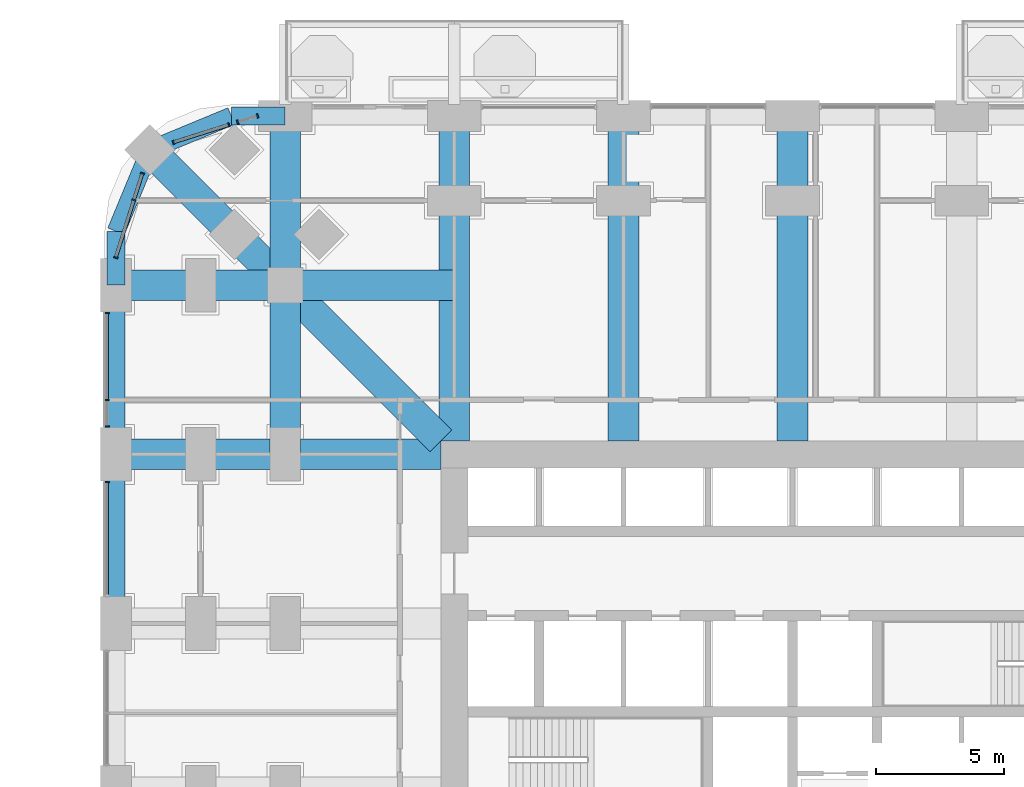
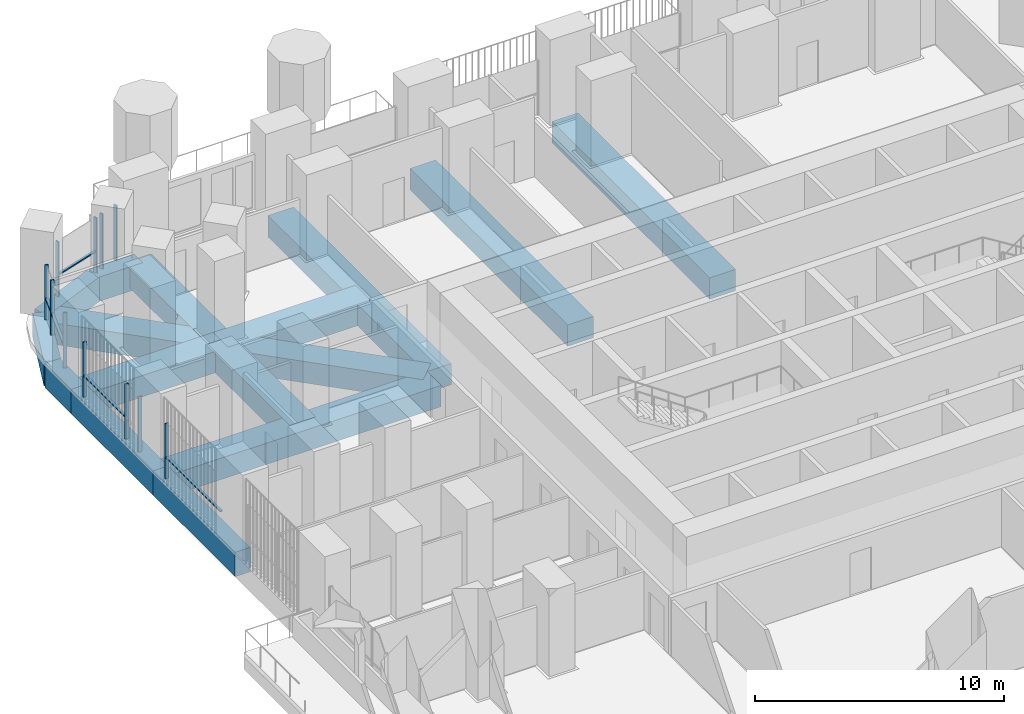
# One storey, part 7 of 27: 16 beams, 16 members, 5 elements without a shape of their own.
"""IFC4 building model written with IfcOpenShell, lengths in metres."""

from ifc_helpers import new_model, si_unit, direction, frame, origin, origin_2d, place, context, subcontext, project, spatial, rectangle, extrude, material, material_profile, profile_set, type_object, element, aggregate, save


model = new_model("IFC4")

# Units and contexts
model_context = context("Model", 3, precision=1e-05, world=origin(), true_north=direction((0.0, 1.0)))
body_context = subcontext(model_context, "Body", "Model", "MODEL_VIEW")
ifc_project = project(units=[si_unit("LENGTHUNIT", "METRE"), si_unit("AREAUNIT", "SQUARE_METRE"), si_unit("VOLUMEUNIT", "CUBIC_METRE"), si_unit("PLANEANGLEUNIT", "RADIAN"), si_unit("MASSUNIT", "GRAM", prefix="KILO")], contexts=[model_context])

# Site, building, storey
site_placement = place(None, origin())
site = spatial("IfcSite", under=ifc_project, at=site_placement, CompositionType="ELEMENT")
building_placement = place(site_placement, origin())
building = spatial("IfcBuilding", under=site, at=building_placement, Name="Cobogo Forest Laboratory Tower", CompositionType="ELEMENT")
storey_placement = place(building_placement, frame((0.0, 0.0, 29.699951171875)))
storey = spatial("IfcBuildingStorey", under=building, at=storey_placement, Name="L06", CompositionType="ELEMENT", Elevation=29.699951171875)

# Beams
ifc_material_1 = material(Name="Concrete HA-40 (C40/50)", Category="concrete")
ifc_material_profile_1 = material_profile(ifc_material_1, rectangle(XDim=1.199951171875, YDim=1.050048828125, at=origin_2d()), Name="RC 1200x1050")
ifc_profile_set_1 = profile_set([ifc_material_profile_1], Name="Concrete HA-40 (C40/50)")
beam_type_1 = type_object("IfcBeamType", Name="Laboratory floor wide beam 1200x1050", PredefinedType="BEAM", material=ifc_profile_set_1)
for number, where, z_axis, x_axis, name in (
    (1, (13.199951171875, 33.52490234375, -0.824951171875), (0.0, 1.0, 0.0), (-1.0, 0.0, 0.0), "RB1 R-3-N L06"),
    (2, (19.800048828125, 33.52490234375, -0.824951171875), (0.0, 1.0, 0.0), (-1.0, 0.0, 0.0), "RB1 R-4-N L06"),
    (3, (26.39990234375, 33.52490234375, -0.824951171875), (0.0, 1.0, 0.0), (-1.0, 0.0, 0.0), "RB1 R-5-N L06"),
    (4, (12.675048828125, 33.0, -0.824951171875), (-1.0, 0.0, 0.0), (0.0, -1.0, 0.0), "RB1 R-F-W L06"),
):
    element("IfcBeam", number, at=place(storey_placement, frame(where, z_axis=z_axis, x_axis=x_axis)), inside=storey, type_object=beam_type_1, Name=name, PredefinedType="BEAM", context=body_context, shape_type="SweptSolid", body=[
        extrude(rectangle(XDim=1.199951171875, YDim=1.050048828125, at=origin_2d()), origin(), (0.0, 0.0, 1.0), 12.675048828125),
    ])
beam_1_placement = place(storey_placement, frame((6.60009765625, 46.199951171875, -0.824951171875), z_axis=(0.0, -1.0, 0.0), x_axis=(1.0, 0.0, 0.0)))
element("IfcBeam", 5, at=beam_1_placement, inside=storey, type_object=beam_type_1, Name="RB1 G-NW-XF L06", PredefinedType="BEAM", context=body_context, shape_type="SweptSolid", body=[
    extrude(rectangle(XDim=1.199951171875, YDim=1.050048828125, at=origin_2d()), origin(), (0.0, 0.0, 1.0), 6.599853515625),
])
for number, where, z_axis, x_axis, name in (
    (6, (6.60009765625, 39.60009765625, -0.824951171875), (0.0, -1.0, 0.0), (1.0, 0.0, 0.0), "RB1 G-NW-XC L06"),
    (7, (0.0, 39.60009765625, -0.824951171875), (1.0, 0.0, 0.0), (0.0, 1.0, 0.0), "RB1 G-NW-YF L06"),
):
    element("IfcBeam", number, at=place(storey_placement, frame(where, z_axis=z_axis, x_axis=x_axis)), inside=storey, type_object=beam_type_1, Name=name, PredefinedType="BEAM", context=body_context, shape_type="SweptSolid", body=[
        extrude(rectangle(XDim=1.199951171875, YDim=1.050048828125, at=origin_2d()), origin(), (0.0, 0.0, 1.0), 6.60009765625),
    ])
beam_2_placement = place(storey_placement, frame((6.60009765625, 39.60009765625, -0.824951171875), z_axis=(1.0, 0.0, 0.0), x_axis=(0.0, 1.0, 0.0)))
element("IfcBeam", 8, at=beam_2_placement, inside=storey, type_object=beam_type_1, Name="RB1 G-NW-YC L06", PredefinedType="BEAM", context=body_context, shape_type="SweptSolid", body=[
    extrude(rectangle(XDim=1.199951171875, YDim=1.050048828125, at=origin_2d()), origin(), (0.0, 0.0, 1.0), 6.599853515625),
])
beam_3_placement = place(storey_placement, frame((1.318115234375, 44.882080078125, -0.824951171875), z_axis=(0.707106781187, -0.707106781187, 0.0), x_axis=(0.707106781187, 0.707106781187, 0.0)))
element("IfcBeam", 9, at=beam_3_placement, inside=storey, type_object=beam_type_1, Name="RB1 G-NW-D1 L06", PredefinedType="BEAM", context=body_context, shape_type="SweptSolid", body=[
    extrude(rectangle(XDim=1.199951171875, YDim=1.050048828125, at=origin_2d()), origin(), (0.0, 0.0, 1.0), 7.469970703125),
])
beam_4_placement = place(storey_placement, frame((6.60009765625, 39.60009765625, -0.824951171875), z_axis=(0.707092572697, -0.70712098939, 0.0), x_axis=(0.70712098939, 0.707092572697, 0.0)))
element("IfcBeam", 10, at=beam_4_placement, inside=storey, type_object=beam_type_1, Name="RB1 G-NW-D2 L06", PredefinedType="BEAM", context=body_context, shape_type="SweptSolid", body=[
    extrude(rectangle(XDim=1.199951171875, YDim=1.050048828125, at=origin_2d()), origin(), (0.0, 0.0, 1.0), 8.591552734375),
])

# Curtain wall, members
ifc_material_2 = material(Name="Aluminium curtain wall", Category="aluminium")
curtain_wall_type = type_object("IfcCurtainWallType", Name="CW-1 unitised curtain wall, clear glazing, laboratory floors zones A and B", PredefinedType="USERDEFINED", material=ifc_material_2)
curtain_wall_1_placement = place(storey_placement, origin())
curtain_wall_1 = element("IfcCurtainWall", 11, at=curtain_wall_1_placement, inside=storey, type_object=curtain_wall_type, Name="Curtain wall 24 L06", ObjectType="UNITISED CURTAIN WALL", PredefinedType="USERDEFINED")
ifc_material_3 = material(Name="Aluminium mullion", Category="aluminium")
ifc_material_profile_2 = material_profile(ifc_material_3, rectangle(XDim=0.06005859375, YDim=0.159912109375, at=origin_2d()), Name="AL 60x160")
ifc_profile_set_2 = profile_set([ifc_material_profile_2], Name="Aluminium mullion")
member_type_1 = type_object("IfcMemberType", Name="MU-1 aluminium mullion 60x160", PredefinedType="MULLION", material=ifc_profile_set_2)
member_1_placement = place(storey_placement, frame((5.521484375, 46.20947265625, 0.0), z_axis=(0.0, 0.0, 1.0), x_axis=(-0.953581504428, -0.301135043481, 0.0)))
member_1 = element("IfcMember", 12, at=member_1_placement, type_object=member_type_1, Name="CW-1 mullion 1", PredefinedType="MULLION", context=body_context, shape_type="SweptSolid", body=[
    extrude(rectangle(XDim=0.06005859375, YDim=0.159912109375, at=origin_2d()), origin(), (0.0, 0.0, 1.0), 2.699951171875),
])
member_2_placement = place(storey_placement, frame((4.74658203125, 45.96484375, 0.0), z_axis=(0.0, 0.0, 1.0), x_axis=(-0.953581504428, -0.301135043481, 0.0)))
member_2 = element("IfcMember", 13, at=member_2_placement, type_object=member_type_1, Name="CW-1 mullion 2", PredefinedType="MULLION", context=body_context, shape_type="SweptSolid", body=[
    extrude(rectangle(XDim=0.06005859375, YDim=0.159912109375, at=origin_2d()), origin(), (0.0, 0.0, 1.0), 2.699951171875),
])
aggregate(curtain_wall_1, [member_1, member_2])

curtain_wall_2_placement = place(storey_placement, origin())
curtain_wall_2 = element("IfcCurtainWall", 14, at=curtain_wall_2_placement, inside=storey, type_object=curtain_wall_type, Name="Curtain wall 25 L06", ObjectType="UNITISED CURTAIN WALL", PredefinedType="USERDEFINED")
member_3_placement = place(storey_placement, frame((4.39697265625, 45.854248046875, 0.0), z_axis=(0.0, 0.0, 1.0), x_axis=(-0.953581409645, -0.301135343623, 0.0)))
member_3 = element("IfcMember", 15, at=member_3_placement, type_object=member_type_1, Name="CW-1 mullion 1", PredefinedType="MULLION", context=body_context, shape_type="SweptSolid", body=[
    extrude(rectangle(XDim=0.06005859375, YDim=0.159912109375, at=origin_2d()), origin(), (0.0, 0.0, 1.0), 2.699951171875),
])
member_4_placement = place(storey_placement, frame((2.23876953125, 45.1728515625, 0.0), z_axis=(0.0, 0.0, 1.0), x_axis=(-0.953581409645, -0.301135343623, 0.0)))
member_4 = element("IfcMember", 16, at=member_4_placement, type_object=member_type_1, Name="CW-1 mullion 2", PredefinedType="MULLION", context=body_context, shape_type="SweptSolid", body=[
    extrude(rectangle(XDim=0.06005859375, YDim=0.159912109375, at=origin_2d()), origin(), (0.0, 0.0, 1.0), 2.699951171875),
])

curtain_wall_3_placement = place(storey_placement, origin())
curtain_wall_3 = element("IfcCurtainWall", 17, at=curtain_wall_3_placement, inside=storey, type_object=curtain_wall_type, Name="Curtain wall 26 L06", ObjectType="UNITISED CURTAIN WALL", PredefinedType="USERDEFINED")
member_5_placement = place(storey_placement, frame((1.02734375, 43.961181640625, 0.0), z_axis=(0.0, 0.0, 1.0), x_axis=(-0.30113535792, -0.95358140513, 0.0)))
member_5 = element("IfcMember", 18, at=member_5_placement, type_object=member_type_1, Name="CW-1 mullion 1", PredefinedType="MULLION", context=body_context, shape_type="SweptSolid", body=[
    extrude(rectangle(XDim=0.06005859375, YDim=0.159912109375, at=origin_2d()), origin(), (0.0, 0.0, 1.0), 2.699951171875),
])
member_6_placement = place(storey_placement, frame((0.69970703125, 42.924072265625, 0.0), z_axis=(0.0, 0.0, 1.0), x_axis=(-0.30113535792, -0.95358140513, 0.0)))
member_6 = element("IfcMember", 19, at=member_6_placement, type_object=member_type_1, Name="CW-1 mullion 2", PredefinedType="MULLION", context=body_context, shape_type="SweptSolid", body=[
    extrude(rectangle(XDim=0.06005859375, YDim=0.159912109375, at=origin_2d()), origin(), (0.0, 0.0, 1.0), 2.699951171875),
])
member_7_placement = place(storey_placement, frame((-0.00927734375, 40.6787109375, 0.0), z_axis=(0.0, 0.0, 1.0), x_axis=(-0.30113535792, -0.95358140513, 0.0)))
member_7 = element("IfcMember", 20, at=member_7_placement, type_object=member_type_1, Name="CW-1 mullion 3", PredefinedType="MULLION", context=body_context, shape_type="SweptSolid", body=[
    extrude(rectangle(XDim=0.06005859375, YDim=0.159912109375, at=origin_2d()), origin(), (0.0, 0.0, 1.0), 2.699951171875),
])

curtain_wall_4_placement = place(storey_placement, origin())
curtain_wall_4 = element("IfcCurtainWall", 21, at=curtain_wall_4_placement, inside=storey, type_object=curtain_wall_type, Name="Curtain wall 27 L06", ObjectType="UNITISED CURTAIN WALL", PredefinedType="USERDEFINED")
member_8_placement = place(storey_placement, frame((-0.35009765625, 38.52001953125, 0.0), z_axis=(0.0, 0.0, 1.0), x_axis=(0.0, -1.0, 0.0)))
member_8 = element("IfcMember", 22, at=member_8_placement, type_object=member_type_1, Name="CW-1 mullion 1", PredefinedType="MULLION", context=body_context, shape_type="SweptSolid", body=[
    extrude(rectangle(XDim=0.06005859375, YDim=0.159912109375, at=origin_2d()), origin(), (0.0, 0.0, 1.0), 2.699951171875),
])
member_9_placement = place(storey_placement, frame((-0.35009765625, 35.125, 0.0), z_axis=(0.0, 0.0, 1.0), x_axis=(0.0, -1.0, 0.0)))
member_9 = element("IfcMember", 23, at=member_9_placement, type_object=member_type_1, Name="CW-1 mullion 2", PredefinedType="MULLION", context=body_context, shape_type="SweptSolid", body=[
    extrude(rectangle(XDim=0.06005859375, YDim=0.159912109375, at=origin_2d()), origin(), (0.0, 0.0, 1.0), 2.699951171875),
])
member_10_placement = place(storey_placement, frame((-0.35009765625, 34.080078125, 0.0), z_axis=(0.0, 0.0, 1.0), x_axis=(0.0, -1.0, 0.0)))
member_10 = element("IfcMember", 24, at=member_10_placement, type_object=member_type_1, Name="CW-1 mullion 3", PredefinedType="MULLION", context=body_context, shape_type="SweptSolid", body=[
    extrude(rectangle(XDim=0.06005859375, YDim=0.159912109375, at=origin_2d()), origin(), (0.0, 0.0, 1.0), 2.699951171875),
])

# Curtain wall, member
curtain_wall_5_placement = place(storey_placement, origin())
curtain_wall_5 = element("IfcCurtainWall", 25, at=curtain_wall_5_placement, inside=storey, type_object=curtain_wall_type, Name="Curtain wall 28 L06", ObjectType="UNITISED CURTAIN WALL", PredefinedType="USERDEFINED")
member_11_placement = place(storey_placement, frame((-0.35009765625, 31.919921875, 0.0), z_axis=(0.0, 0.0, 1.0), x_axis=(0.0, -1.0, 0.0)))
member_11 = element("IfcMember", 26, at=member_11_placement, type_object=member_type_1, Name="CW-1 mullion 1", PredefinedType="MULLION", context=body_context, shape_type="SweptSolid", body=[
    extrude(rectangle(XDim=0.06005859375, YDim=0.159912109375, at=origin_2d()), origin(), (0.0, 0.0, 1.0), 2.699951171875),
])

# Beams
ifc_material_profile_3 = material_profile(ifc_material_1, rectangle(XDim=0.699951171875, YDim=1.199951171875, at=origin_2d()), Name="RC 700x1200")
ifc_profile_set_3 = profile_set([ifc_material_profile_3], Name="Concrete HA-40 (C40/50)")
beam_type_2 = type_object("IfcBeamType", Name="Perimeter edge beam 700x1200", PredefinedType="BEAM", material=ifc_profile_set_3)
for number, where, z_axis, x_axis, name in (
    (27, (0.0, 26.39990234375, -0.89990234375), (0.0, 1.0, 0.0), (-1.0, 0.0, 0.0), "EB1 E-W4 L06"),
    (28, (0.0, 33.0, -0.89990234375), (0.0, 1.0, 0.0), (-1.0, 0.0, 0.0), "EB1 E-W5 L06"),
):
    element("IfcBeam", number, at=place(storey_placement, frame(where, z_axis=z_axis, x_axis=x_axis)), inside=storey, type_object=beam_type_2, Name=name, PredefinedType="BEAM", context=body_context, shape_type="SweptSolid", body=[
        extrude(rectangle(XDim=0.699951171875, YDim=1.199951171875, at=origin_2d()), origin(), (0.0, 0.0, 1.0), 6.60009765625),
    ])
beam_5_placement = place(storey_placement, frame((6.60009765625, 46.199951171875, -0.89990234375), z_axis=(-1.0, 0.0, 0.0), x_axis=(0.0, -1.0, 0.0)))
element("IfcBeam", 29, at=beam_5_placement, inside=storey, type_object=beam_type_2, Name="EB1 E-NWN1 L06", PredefinedType="BEAM", context=body_context, shape_type="SweptSolid", body=[
    extrude(rectangle(XDim=0.699951171875, YDim=1.199951171875, at=origin_2d()), origin(), (0.0, 0.0, 1.0), 2.10009765625),
])
beam_6_placement = place(storey_placement, frame((4.5, 46.199951171875, -0.89990234375), z_axis=(-0.923890694089, -0.382656484822, 0.0), x_axis=(0.382656484822, -0.923890694089, 0.0)))
element("IfcBeam", 30, at=beam_6_placement, inside=storey, type_object=beam_type_2, Name="EB1 E-NWN2 L06", PredefinedType="BEAM", context=body_context, shape_type="SweptSolid", body=[
    extrude(rectangle(XDim=0.699951171875, YDim=1.199951171875, at=origin_2d()), origin(), (0.0, 0.0, 1.0), 3.444091796875),
])
beam_7_placement = place(storey_placement, frame((0.0, 39.60009765625, -0.89990234375), z_axis=(0.0, 1.0, 0.0), x_axis=(-1.0, 0.0, 0.0)))
element("IfcBeam", 31, at=beam_7_placement, inside=storey, type_object=beam_type_2, Name="EB1 E-NWW1 L06", PredefinedType="BEAM", context=body_context, shape_type="SweptSolid", body=[
    extrude(rectangle(XDim=0.699951171875, YDim=1.199951171875, at=origin_2d()), origin(), (0.0, 0.0, 1.0), 2.099853515625),
])
beam_8_placement = place(storey_placement, frame((0.0, 41.699951171875, -0.89990234375), z_axis=(0.382691928466, 0.923876013265, 0.0), x_axis=(-0.923876013265, 0.382691928466, 0.0)))
element("IfcBeam", 32, at=beam_8_placement, inside=storey, type_object=beam_type_2, Name="EB1 E-NWW2 L06", PredefinedType="BEAM", context=body_context, shape_type="SweptSolid", body=[
    extrude(rectangle(XDim=0.699951171875, YDim=1.199951171875, at=origin_2d()), origin(), (0.0, 0.0, 1.0), 3.4443359375),
])

# Member
ifc_material_4 = material(Name="Aluminium transom", Category="aluminium")
ifc_material_profile_4 = material_profile(ifc_material_4, rectangle(XDim=0.1201171875, YDim=0.06005859375, at=origin_2d()), Name="AL 60x120")
ifc_profile_set_4 = profile_set([ifc_material_profile_4], Name="Aluminium transom")
member_type_2 = type_object("IfcMemberType", Name="TR-1 aluminium transom 60x120", PredefinedType="USERDEFINED", material=ifc_profile_set_4)
member_12_placement = place(storey_placement, frame((4.368408203125, 45.84521484375, 1.050048828125), z_axis=(-0.953604433273, -0.301062426819, 0.0), x_axis=(0.301062426819, -0.953604433273, 0.0)))
member_12 = element("IfcMember", 33, at=member_12_placement, type_object=member_type_2, Name="CW-1 transom 1.1", ObjectType="TRANSOM", PredefinedType="USERDEFINED", context=body_context, shape_type="SweptSolid", body=[
    extrude(rectangle(XDim=0.1201171875, YDim=0.06005859375, at=origin_2d()), origin(), (0.0, 0.0, 1.0), 2.203369140625),
])

aggregate(curtain_wall_2, [member_3, member_4, member_12])

member_13_placement = place(storey_placement, frame((1.018310546875, 43.9326171875, 1.050048828125), z_axis=(-0.301222320394, -0.953553938535, 0.0), x_axis=(0.953553938535, -0.301222320394, 0.0)))
member_13 = element("IfcMember", 34, at=member_13_placement, type_object=member_type_2, Name="CW-1 transom 1.1", ObjectType="TRANSOM", PredefinedType="USERDEFINED", context=body_context, shape_type="SweptSolid", body=[
    extrude(rectangle(XDim=0.1201171875, YDim=0.06005859375, at=origin_2d()), origin(), (0.0, 0.0, 1.0), 1.02783203125),
])

member_14_placement = place(storey_placement, frame((0.690673828125, 42.8955078125, 1.050048828125), z_axis=(-0.301090633022, -0.953595527835, 0.0), x_axis=(0.953595527835, -0.301090633022, 0.0)))
member_14 = element("IfcMember", 35, at=member_14_placement, type_object=member_type_2, Name="CW-1 transom 2.1", ObjectType="TRANSOM", PredefinedType="USERDEFINED", context=body_context, shape_type="SweptSolid", body=[
    extrude(rectangle(XDim=0.1201171875, YDim=0.06005859375, at=origin_2d()), origin(), (0.0, 0.0, 1.0), 2.294677734375),
])

aggregate(curtain_wall_3, [member_5, member_6, member_7, member_13, member_14])

member_15_placement = place(storey_placement, frame((-0.35009765625, 38.489990234375, 1.050048828125), z_axis=(0.0, -1.0, 0.0), x_axis=(1.0, 0.0, 0.0)))
member_15 = element("IfcMember", 36, at=member_15_placement, type_object=member_type_2, Name="CW-1 transom 1.1", ObjectType="TRANSOM", PredefinedType="USERDEFINED", context=body_context, shape_type="SweptSolid", body=[
    extrude(rectangle(XDim=0.1201171875, YDim=0.06005859375, at=origin_2d()), origin(), (0.0, 0.0, 1.0), 3.3349609375),
])

aggregate(curtain_wall_4, [member_8, member_9, member_10, member_15])

member_16_placement = place(storey_placement, frame((-0.35009765625, 31.889892578125, 1.050048828125), z_axis=(0.0, -1.0, 0.0), x_axis=(1.0, 0.0, 0.0)))
member_16 = element("IfcMember", 37, at=member_16_placement, type_object=member_type_2, Name="CW-1 transom 1.1", ObjectType="TRANSOM", PredefinedType="USERDEFINED", context=body_context, shape_type="SweptSolid", body=[
    extrude(rectangle(XDim=0.1201171875, YDim=0.06005859375, at=origin_2d()), origin(), (0.0, 0.0, 1.0), 4.3798828125),
])

aggregate(curtain_wall_5, [member_11, member_16])

save(model, "model.ifc")
